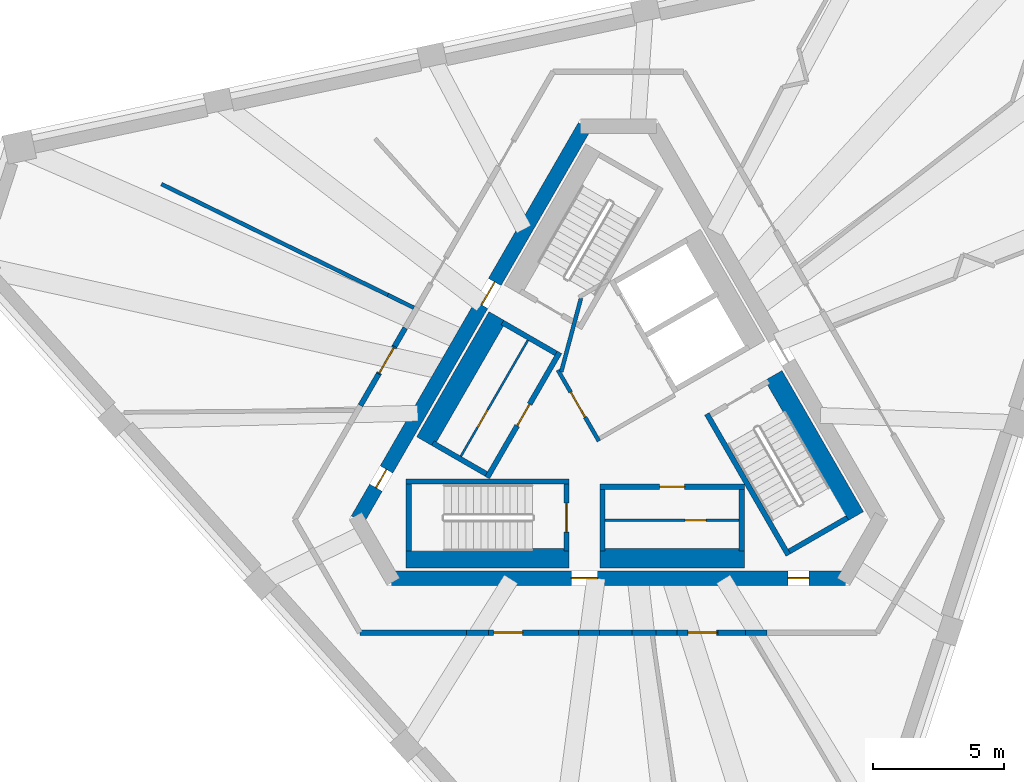
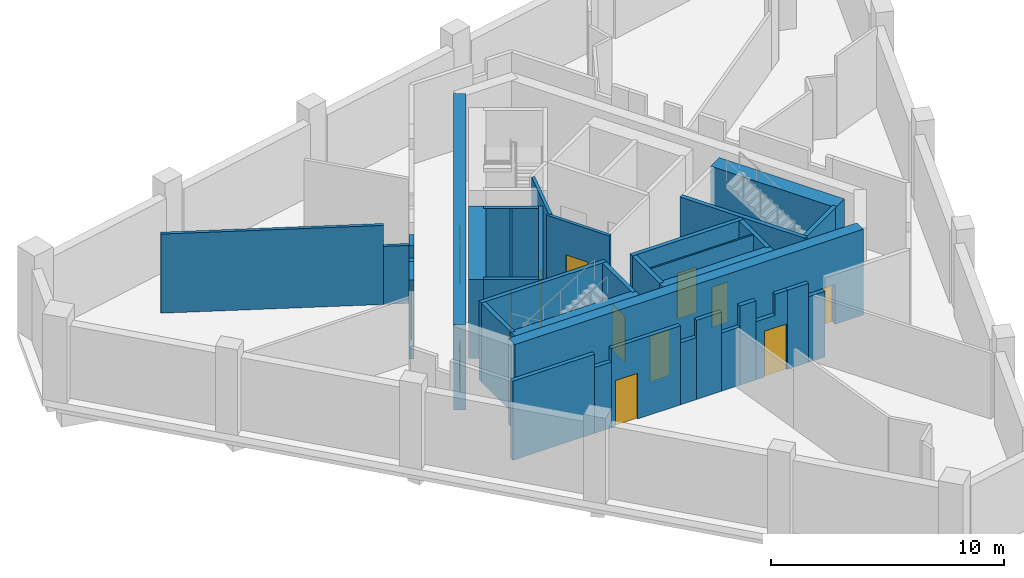
# One storey, part 2 of 5: 36 walls, 13 doors, 13 openings.
"""IFC4 building model written with IfcOpenShell, lengths in metres."""

from ifc_helpers import new_model, si_unit, direction, frame, frame_2d, origin, place, context, subcontext, project, spatial, polyline, rectangle, outline, extrude, material, layer, layer_set, type_object, element, fill, save


model = new_model("IFC4")

# Units and contexts
model_context = context("Model", 3, precision=1e-05, world=origin(), true_north=direction((0.0, 1.0)))
body_context = subcontext(model_context, "Body", "Model", "MODEL_VIEW")
ifc_project = project(units=[si_unit("LENGTHUNIT", "METRE"), si_unit("AREAUNIT", "SQUARE_METRE"), si_unit("VOLUMEUNIT", "CUBIC_METRE"), si_unit("PLANEANGLEUNIT", "RADIAN"), si_unit("MASSUNIT", "GRAM", prefix="KILO")], contexts=[model_context])

# Site, building, storey
site_placement = place(None, origin())
site = spatial("IfcSite", under=ifc_project, at=site_placement, CompositionType="ELEMENT")
building_placement = place(site_placement, origin())
building = spatial("IfcBuilding", under=site, at=building_placement, Name="Tramontana Tower", CompositionType="ELEMENT")
storey_placement = place(building_placement, frame((0.0, 0.0, 356.89990234375)))
storey = spatial("IfcBuildingStorey", under=building, at=storey_placement, Name="L82", CompositionType="ELEMENT", Elevation=356.89990234375)

# Wall, openings, doors
ifc_material_1 = material(Name="Concrete 70 MPa", Category="concrete")
ifc_layer_1 = layer(ifc_material_1, 0.550048828125)
ifc_layer_set_1 = layer_set([ifc_layer_1], Name="Core wall 550 70 MPa")
wall_type_1 = type_object("IfcWallType", Name="Core wall 550 70 MPa", PredefinedType="SHEAR", material=ifc_layer_set_1)
wall_1_placement = place(storey_placement, frame((-1.28466796875, 10.72509765625, 0.0), z_axis=(0.0, 0.0, 1.0), x_axis=(-0.499994590896, -0.86602852671, 0.0)))
wall_1 = element("IfcWall", 1, at=wall_1_placement, inside=storey, type_object=wall_type_1, Name="Core wall C1 L82", PredefinedType="SHEAR", context=body_context, shape_type="SweptSolid", body=[
    extrude(rectangle(XDim=17.291748046875, YDim=0.550048828125, at=frame_2d((8.64599609375, 0.0))), origin(), (0.0, 0.0, 1.0), 4.5),
])
opening_1_placement = place(wall_1_placement, frame((6.850830078125, 0.0, 0.0)))
opening_1 = element("IfcOpeningElement", 2, at=opening_1_placement, cuts=wall_1, Name="Opening RG1", PredefinedType="OPENING", context=body_context, shape_type="SweptSolid", body=[
    extrude(rectangle(XDim=1.0, YDim=2.39990234375, at=frame_2d((0.5, 1.199951171875))), frame((0.0, 0.284912109375, 0.0), z_axis=(0.0, -1.0, 0.0), x_axis=(1.0, 0.0, 0.0)), (0.0, 0.0, 1.0), 0.570068359375),
])
opening_2_placement = place(wall_1_placement, frame((15.0888671875, 0.0, 0.0)))
opening_2 = element("IfcOpeningElement", 3, at=opening_2_placement, cuts=wall_1, Name="Opening PD1", PredefinedType="OPENING", context=body_context, shape_type="SweptSolid", body=[
    extrude(rectangle(XDim=0.800048828125, YDim=2.10009765625, at=frame_2d((0.39990234375, 1.050048828125))), frame((0.0, 0.284912109375, 0.0), z_axis=(0.0, -1.0, 0.0), x_axis=(1.0, 0.0, 0.0)), (0.0, 0.0, 1.0), 0.570068359375),
])
ifc_material_2 = material(Name="Painted steel", Category="steel")
door_type_1 = type_object("IfcDoorType", Name="CUPBOARD DOOR 800", OperationType="SINGLE_SWING_LEFT", PredefinedType="DOOR", material=ifc_material_2)
door_1_placement = place(opening_2_placement, origin())
door_1 = element("IfcDoor", 4, at=door_1_placement, inside=storey, type_object=door_type_1, Name="Door PD1", OperationType="SINGLE_SWING_LEFT", OverallHeight=2.10009765625, OverallWidth=0.800048828125, PredefinedType="DOOR", context=body_context, shape_type="SweptSolid", body=[
    extrude(rectangle(XDim=0.800048828125, YDim=2.10009765625, at=frame_2d((0.39990234375, 1.050048828125))), frame((0.0, 0.02490234375, 0.0), z_axis=(0.0, -1.0, 0.0), x_axis=(1.0, 0.0, 0.0)), (0.0, 0.0, 1.0), 0.050048828125),
])
fill(opening_2, door_1)
ifc_material_3 = material(Name="Painted steel", Category="steel")
door_type_2 = type_object("IfcDoorType", Name="RING DOOR 1000", OperationType="SINGLE_SWING_LEFT", PredefinedType="DOOR", material=ifc_material_3)
door_2_placement = place(opening_1_placement, origin())
door_2 = element("IfcDoor", 5, at=door_2_placement, inside=storey, type_object=door_type_2, Name="Door RG1", OperationType="SINGLE_SWING_RIGHT", OverallHeight=2.39990234375, OverallWidth=1.0, PredefinedType="DOOR", context=body_context, shape_type="SweptSolid", body=[
    extrude(rectangle(XDim=1.0, YDim=2.39990234375, at=frame_2d((0.5, 1.199951171875))), frame((0.0, 0.02490234375, 0.0), z_axis=(0.0, -1.0, 0.0), x_axis=(1.0, 0.0, 0.0)), (0.0, 0.0, 1.0), 0.050048828125),
])
fill(opening_1, door_2)

wall_2_placement = place(storey_placement, frame((-8.645751953125, -6.47509765625, 0.0), z_axis=(0.0, 0.0, 1.0), x_axis=(1.0, 0.0, 0.0)))
wall_2 = element("IfcWall", 6, at=wall_2_placement, inside=storey, type_object=wall_type_1, Name="Core wall C3 L82", PredefinedType="SHEAR", context=body_context, shape_type="SweptSolid", body=[
    extrude(rectangle(XDim=17.29150390625, YDim=0.550048828125, at=frame_2d((8.645751953125, 0.0))), origin(), (0.0, 0.0, 1.0), 4.5),
])
opening_3_placement = place(wall_2_placement, frame((6.850830078125, 0.0, 0.0)))
opening_3 = element("IfcOpeningElement", 7, at=opening_3_placement, cuts=wall_2, Name="Opening RG2", PredefinedType="OPENING", context=body_context, shape_type="SweptSolid", body=[
    extrude(rectangle(XDim=1.0, YDim=2.39990234375, at=frame_2d((0.5, 1.199951171875))), frame((0.0, 0.284912109375, 0.0), z_axis=(0.0, -1.0, 0.0), x_axis=(1.0, 0.0, 0.0)), (0.0, 0.0, 1.0), 0.570068359375),
])
opening_4_placement = place(wall_2_placement, frame((15.088623046875, 0.0, 0.0)))
opening_4 = element("IfcOpeningElement", 8, at=opening_4_placement, cuts=wall_2, Name="Opening PD2", PredefinedType="OPENING", context=body_context, shape_type="SweptSolid", body=[
    extrude(rectangle(XDim=0.800048828125, YDim=2.10009765625, at=frame_2d((0.39990234375, 1.050048828125))), frame((0.0, 0.284912109375, 0.0), z_axis=(0.0, -1.0, 0.0), x_axis=(1.0, 0.0, 0.0)), (0.0, 0.0, 1.0), 0.570068359375),
])
door_3_placement = place(opening_4_placement, origin())
door_3 = element("IfcDoor", 9, at=door_3_placement, inside=storey, type_object=door_type_1, Name="Door PD2", OperationType="SINGLE_SWING_RIGHT", OverallHeight=2.10009765625, OverallWidth=0.800048828125, PredefinedType="DOOR", context=body_context, shape_type="SweptSolid", body=[
    extrude(rectangle(XDim=0.800048828125, YDim=2.10009765625, at=frame_2d((0.39990234375, 1.050048828125))), frame((0.0, 0.02490234375, 0.0), z_axis=(0.0, -1.0, 0.0), x_axis=(1.0, 0.0, 0.0)), (0.0, 0.0, 1.0), 0.050048828125),
])
fill(opening_4, door_3)
door_4_placement = place(opening_3_placement, origin())
door_4 = element("IfcDoor", 10, at=door_4_placement, inside=storey, type_object=door_type_2, Name="Door RG2", OperationType="SINGLE_SWING_LEFT", OverallHeight=2.39990234375, OverallWidth=1.0, PredefinedType="DOOR", context=body_context, shape_type="SweptSolid", body=[
    extrude(rectangle(XDim=1.0, YDim=2.39990234375, at=frame_2d((0.5, 1.199951171875))), frame((0.0, 0.02490234375, 0.0), z_axis=(0.0, -1.0, 0.0), x_axis=(1.0, 0.0, 0.0)), (0.0, 0.0, 1.0), 0.050048828125),
])
fill(opening_3, door_4)

# Walls
ifc_material_4 = material(Name="Blockwork", Category="masonry")
ifc_layer_2 = layer(ifc_material_4, 0.199951171875)
ifc_layer_set_2 = layer_set([ifc_layer_2], Name="ENTRY WALL 200")
wall_type_2 = type_object("IfcWallType", Name="ENTRY WALL 200", PredefinedType="SOLIDWALL", material=ifc_layer_set_2)
wall_3_placement = place(storey_placement, frame((5.6494140625, -8.550048828125, 0.0), z_axis=(0.0, 0.0, 1.0), x_axis=(-1.0, 0.0, 0.0)))
element("IfcWall", 11, at=wall_3_placement, inside=storey, type_object=wall_type_2, Name="Wall ew1-1", PredefinedType="SOLIDWALL", context=body_context, shape_type="SweptSolid", body=[
    extrude(rectangle(XDim=0.821044921875, YDim=0.199951171875, at=frame_2d((0.41064453125, 0.0))), origin(), (0.0, 0.0, 1.0), 3.4501953125),
])
wall_4_placement = place(storey_placement, frame((4.828369140625, -8.550048828125, 0.0), z_axis=(0.0, 0.0, 1.0), x_axis=(-1.0, 0.0, 0.0)))
element("IfcWall", 12, at=wall_4_placement, inside=storey, type_object=wall_type_2, Name="Wall ew1-2", PredefinedType="SOLIDWALL", context=body_context, shape_type="SweptSolid", body=[
    extrude(rectangle(XDim=1.0380859375, YDim=0.199951171875, at=frame_2d((0.51904296875, 0.0))), origin(), (0.0, 0.0, 1.0), 4.150146484375),
])

# Wall, opening, door
wall_5_placement = place(storey_placement, frame((3.790283203125, -8.550048828125, 0.0), z_axis=(0.0, 0.0, 1.0), x_axis=(-1.0, 0.0, 0.0)))
wall_5 = element("IfcWall", 13, at=wall_5_placement, inside=storey, type_object=wall_type_2, Name="Wall ew1-3", PredefinedType="SOLIDWALL", context=body_context, shape_type="SweptSolid", body=[
    extrude(outline(polyline([(0.0, 0.0), (1.561279296875, 0.0), (1.561279296875, 3.050048828125), (0.617431640625, 3.050048828125), (0.617431640625, 4.150146484375), (0.0, 4.150146484375), (0.0, 0.0)])), frame((0.0, 0.10009765625, 0.0), z_axis=(0.0, -1.0, 0.0), x_axis=(1.0, 0.0, 0.0)), (0.0, 0.0, 1.0), 0.199951171875),
])
opening_5_placement = place(wall_5_placement, frame((0.050048828125, 0.0, 0.0)))
opening_5 = element("IfcOpeningElement", 14, at=opening_5_placement, cuts=wall_5, Name="Opening L82-04", PredefinedType="OPENING", context=body_context, shape_type="SweptSolid", body=[
    extrude(rectangle(XDim=1.10009765625, YDim=2.39990234375, at=frame_2d((0.550048828125, 1.199951171875))), frame((0.0, 0.10986328125, 0.0), z_axis=(0.0, -1.0, 0.0), x_axis=(1.0, 0.0, 0.0)), (0.0, 0.0, 1.0), 0.219970703125),
])
ifc_material_5 = material(Name="Painted timber", Category="wood")
door_type_3 = type_object("IfcDoorType", Name="DOOR ENTRY 1100", OperationType="SINGLE_SWING_LEFT", PredefinedType="DOOR", material=ifc_material_5)
door_5_placement = place(opening_5_placement, origin())
door_5 = element("IfcDoor", 15, at=door_5_placement, inside=storey, type_object=door_type_3, Name="Door L82-04", OperationType="SINGLE_SWING_RIGHT", OverallHeight=2.39990234375, OverallWidth=1.10009765625, PredefinedType="DOOR", context=body_context, shape_type="SweptSolid", body=[
    extrude(rectangle(XDim=1.10009765625, YDim=2.39990234375, at=frame_2d((0.550048828125, 1.199951171875))), frame((0.0, 0.02490234375, 0.0), z_axis=(0.0, -1.0, 0.0), x_axis=(1.0, 0.0, 0.0)), (0.0, 0.0, 1.0), 0.050048828125),
])
fill(opening_5, door_5)

# Walls
wall_6_placement = place(storey_placement, frame((2.22900390625, -8.550048828125, 0.0), z_axis=(0.0, 0.0, 1.0), x_axis=(-1.0, 0.0, 0.0)))
element("IfcWall", 16, at=wall_6_placement, inside=storey, type_object=wall_type_2, Name="Wall ew1-4", PredefinedType="SOLIDWALL", context=body_context, shape_type="SweptSolid", body=[
    extrude(rectangle(XDim=0.806640625, YDim=0.199951171875, at=frame_2d((0.4033203125, 0.0))), origin(), (0.0, 0.0, 1.0), 4.150146484375),
])
wall_7_placement = place(storey_placement, frame((1.42236328125, -8.550048828125, 0.0), z_axis=(0.0, 0.0, 1.0), x_axis=(-1.0, 0.0, 0.0)))
element("IfcWall", 17, at=wall_7_placement, inside=storey, type_object=wall_type_2, Name="Wall ew1-5", PredefinedType="SOLIDWALL", context=body_context, shape_type="SweptSolid", body=[
    extrude(rectangle(XDim=0.90576171875, YDim=0.199951171875, at=frame_2d((0.452880859375, 0.0))), origin(), (0.0, 0.0, 1.0), 3.050048828125),
])
wall_8_placement = place(storey_placement, frame((0.5166015625, -8.550048828125, 0.0), z_axis=(0.0, 0.0, 1.0), x_axis=(-1.0, 0.0, 0.0)))
element("IfcWall", 18, at=wall_8_placement, inside=storey, type_object=wall_type_2, Name="Wall ew1-6", PredefinedType="SOLIDWALL", context=body_context, shape_type="SweptSolid", body=[
    extrude(rectangle(XDim=1.23828125, YDim=0.199951171875, at=frame_2d((0.619140625, 0.0))), origin(), (0.0, 0.0, 1.0), 4.150146484375),
])
wall_9_placement = place(storey_placement, frame((-0.7216796875, -8.550048828125, 0.0), z_axis=(0.0, 0.0, 1.0), x_axis=(-1.0, 0.0, 0.0)))
element("IfcWall", 19, at=wall_9_placement, inside=storey, type_object=wall_type_2, Name="Wall ew1-7", PredefinedType="SOLIDWALL", context=body_context, shape_type="SweptSolid", body=[
    extrude(rectangle(XDim=0.806884765625, YDim=0.199951171875, at=frame_2d((0.4033203125, 0.0))), origin(), (0.0, 0.0, 1.0), 3.25),
])

# Wall, opening, door
wall_10_placement = place(storey_placement, frame((-1.528564453125, -8.550048828125, 0.0), z_axis=(0.0, 0.0, 1.0), x_axis=(-1.0, 0.0, 0.0)))
wall_10 = element("IfcWall", 20, at=wall_10_placement, inside=storey, type_object=wall_type_2, Name="Wall ew1-8", PredefinedType="SOLIDWALL", context=body_context, shape_type="SweptSolid", body=[
    extrude(rectangle(XDim=3.423095703125, YDim=0.199951171875, at=frame_2d((1.71142578125, 0.0))), origin(), (0.0, 0.0, 1.0), 4.150146484375),
])
opening_6_placement = place(wall_10_placement, frame((2.12060546875, 0.0, 0.0)))
opening_6 = element("IfcOpeningElement", 21, at=opening_6_placement, cuts=wall_10, Name="Opening L82-03", PredefinedType="OPENING", context=body_context, shape_type="SweptSolid", body=[
    extrude(rectangle(XDim=1.10009765625, YDim=2.39990234375, at=frame_2d((0.550048828125, 1.199951171875))), frame((0.0, 0.10986328125, 0.0), z_axis=(0.0, -1.0, 0.0), x_axis=(1.0, 0.0, 0.0)), (0.0, 0.0, 1.0), 0.219970703125),
])
door_6_placement = place(opening_6_placement, origin())
door_6 = element("IfcDoor", 22, at=door_6_placement, inside=storey, type_object=door_type_3, Name="Door L82-03", OperationType="SINGLE_SWING_LEFT", OverallHeight=2.39990234375, OverallWidth=1.10009765625, PredefinedType="DOOR", context=body_context, shape_type="SweptSolid", body=[
    extrude(rectangle(XDim=1.10009765625, YDim=2.39990234375, at=frame_2d((0.550048828125, 1.199951171875))), frame((0.0, 0.02490234375, 0.0), z_axis=(0.0, -1.0, 0.0), x_axis=(1.0, 0.0, 0.0)), (0.0, 0.0, 1.0), 0.050048828125),
])
fill(opening_6, door_6)

# Walls
wall_11_placement = place(storey_placement, frame((-4.95166015625, -8.550048828125, 0.0), z_axis=(0.0, 0.0, 1.0), x_axis=(-1.0, 0.0, 0.0)))
element("IfcWall", 23, at=wall_11_placement, inside=storey, type_object=wall_type_2, Name="Wall ew1-9", PredefinedType="SOLIDWALL", context=body_context, shape_type="SweptSolid", body=[
    extrude(rectangle(XDim=0.826416015625, YDim=0.199951171875, at=frame_2d((0.4130859375, 0.0))), origin(), (0.0, 0.0, 1.0), 3.4501953125),
])
wall_12_placement = place(storey_placement, frame((-5.778076171875, -8.550048828125, 0.0), z_axis=(0.0, 0.0, 1.0), x_axis=(-1.0, 0.0, 0.0)))
element("IfcWall", 24, at=wall_12_placement, inside=storey, type_object=wall_type_2, Name="Wall ew1-10", PredefinedType="SOLIDWALL", context=body_context, shape_type="SweptSolid", body=[
    extrude(rectangle(XDim=4.065673828125, YDim=0.199951171875, at=frame_2d((2.03271484375, 0.0))), origin(), (0.0, 0.0, 1.0), 4.150146484375),
])
wall_13_placement = place(storey_placement, frame((-9.818603515625, 0.093505859375, 0.0), z_axis=(0.0, 0.0, 1.0), x_axis=(0.500007335828, 0.866021168401, 0.0)))
element("IfcWall", 25, at=wall_13_placement, inside=storey, type_object=wall_type_2, Name="Wall ew3-2", PredefinedType="SOLIDWALL", context=body_context, shape_type="SweptSolid", body=[
    extrude(rectangle(XDim=1.384765625, YDim=0.199951171875, at=frame_2d((0.6923828125, 0.0))), origin(), (0.0, 0.0, 1.0), 4.150146484375),
])

# Wall, opening, door
wall_14_placement = place(storey_placement, frame((-9.126220703125, 1.292724609375, 0.0), z_axis=(0.0, 0.0, 1.0), x_axis=(0.499966081581, 0.866044985707, 0.0)))
wall_14 = element("IfcWall", 26, at=wall_14_placement, inside=storey, type_object=wall_type_2, Name="Wall ew3-3", PredefinedType="SOLIDWALL", context=body_context, shape_type="SweptSolid", body=[
    extrude(outline(polyline([(0.0, 0.0), (1.21435546875, 0.0), (1.214599609375, 3.050048828125), (0.270751953125, 3.050048828125), (0.270751953125, 4.150146484375), (0.0, 4.150146484375), (0.0, 0.0)])), frame((0.0, 0.10009765625, 0.0), z_axis=(0.0, -1.0, 0.0), x_axis=(1.0, 0.0, 0.0)), (0.0, 0.0, 1.0), 0.199951171875),
])
opening_7_placement = place(wall_14_placement, frame((0.050048828125, 0.0, 0.0)))
opening_7 = element("IfcOpeningElement", 27, at=opening_7_placement, cuts=wall_14, Name="Opening L82-02", PredefinedType="OPENING", context=body_context, shape_type="SweptSolid", body=[
    extrude(rectangle(XDim=1.10009765625, YDim=2.39990234375, at=frame_2d((0.550048828125, 1.199951171875))), frame((0.0, 0.10986328125, 0.0), z_axis=(0.0, -1.0, 0.0), x_axis=(1.0, 0.0, 0.0)), (0.0, 0.0, 1.0), 0.219970703125),
])
door_7_placement = place(opening_7_placement, origin())
door_7 = element("IfcDoor", 28, at=door_7_placement, inside=storey, type_object=door_type_3, Name="Door L82-02", OperationType="SINGLE_SWING_RIGHT", OverallHeight=2.39990234375, OverallWidth=1.10009765625, PredefinedType="DOOR", context=body_context, shape_type="SweptSolid", body=[
    extrude(rectangle(XDim=1.10009765625, YDim=2.39990234375, at=frame_2d((0.550048828125, 1.199951171875))), frame((0.0, 0.02490234375, 0.0), z_axis=(0.0, -1.0, 0.0), x_axis=(1.0, 0.0, 0.0)), (0.0, 0.0, 1.0), 0.050048828125),
])
fill(opening_7, door_7)

# Wall
wall_15_placement = place(storey_placement, frame((-8.51904296875, 2.344482421875, 0.0), z_axis=(0.0, 0.0, 1.0), x_axis=(0.499914554297, 0.866074730264, 0.0)))
element("IfcWall", 29, at=wall_15_placement, inside=storey, type_object=wall_type_2, Name="Wall ew3-4", PredefinedType="SOLIDWALL", context=body_context, shape_type="SweptSolid", body=[
    extrude(rectangle(XDim=0.806884765625, YDim=0.199951171875, at=frame_2d((0.4033203125, 0.0))), origin(), (0.0, 0.0, 1.0), 4.150146484375),
])

# Wall, opening, door
ifc_material_6 = material(Name="Gypsum board partition")
ifc_layer_3 = layer(ifc_material_6, 0.14990234375)
ifc_layer_set_3 = layer_set([ifc_layer_3], Name="PARTITION 150")
wall_type_3 = type_object("IfcWallType", Name="PARTITION 150", PredefinedType="PARTITIONING", material=ifc_layer_set_3)
wall_16_placement = place(storey_placement, frame((-0.744140625, -1.260986328125, 0.0), z_axis=(0.0, 0.0, 1.0), x_axis=(-0.500004234368, 0.866022959057, 0.0)))
wall_16 = element("IfcWall", 30, at=wall_16_placement, inside=storey, type_object=wall_type_3, Name="Wall ff-front", PredefinedType="PARTITIONING", context=body_context, shape_type="SweptSolid", body=[
    extrude(rectangle(XDim=3.125, YDim=0.14990234375, at=frame_2d((1.5625, 0.0))), origin(), (0.0, 0.0, 1.0), 4.150146484375),
])
opening_8_placement = place(wall_16_placement, frame((1.050048828125, 0.0, 0.0)))
opening_8 = element("IfcOpeningElement", 31, at=opening_8_placement, cuts=wall_16, Name="Opening FD1", PredefinedType="OPENING", context=body_context, shape_type="SweptSolid", body=[
    extrude(rectangle(XDim=1.10009765625, YDim=2.39990234375, at=frame_2d((0.550048828125, 1.199951171875))), frame((0.0, 0.0849609375, 0.0), z_axis=(0.0, -1.0, 0.0), x_axis=(1.0, 0.0, 0.0)), (0.0, 0.0, 1.0), 0.169921875),
])
door_8_placement = place(opening_8_placement, origin())
door_8 = element("IfcDoor", 32, at=door_8_placement, inside=storey, type_object=door_type_3, Name="Door FD1", OperationType="SINGLE_SWING_LEFT", OverallHeight=2.39990234375, OverallWidth=1.10009765625, PredefinedType="DOOR", context=body_context, shape_type="SweptSolid", body=[
    extrude(rectangle(XDim=1.10009765625, YDim=2.39990234375, at=frame_2d((0.550048828125, 1.199951171875))), frame((0.0, 0.02490234375, 0.0), z_axis=(0.0, -1.0, 0.0), x_axis=(1.0, 0.0, 0.0)), (0.0, 0.0, 1.0), 0.050048828125),
])
fill(opening_8, door_8)

# Walls
wall_17_placement = place(storey_placement, frame((-2.177978515625, 1.372314453125, 0.0), z_axis=(0.0, 0.0, 1.0), x_axis=(0.258808958833, 0.96592852884, 0.0)))
element("IfcWall", 33, at=wall_17_placement, inside=storey, type_object=wall_type_3, Name="Wall ff-diag", PredefinedType="PARTITIONING", context=body_context, shape_type="SweptSolid", body=[
    extrude(rectangle(XDim=2.902587890625, YDim=0.14990234375, at=frame_2d((1.451171875, 0.0))), origin(), (0.0, 0.0, 1.0), 4.150146484375),
])
wall_18_placement = place(storey_placement, frame((-7.7861328125, 3.81396484375, 0.0), z_axis=(0.0, 0.0, 1.0), x_axis=(-0.898068056395, 0.439856528976, 0.0)))
element("IfcWall", 34, at=wall_18_placement, inside=storey, type_object=wall_type_3, Name="Wall fw-pw03-0", PredefinedType="PARTITIONING", context=body_context, shape_type="SweptSolid", body=[
    extrude(rectangle(XDim=1.10400390625, YDim=0.14990234375, at=frame_2d((0.552001953125, 0.0))), origin(), (0.0, 0.0, 1.0), 3.050048828125),
])
wall_19_placement = place(storey_placement, frame((-8.777587890625, 4.299560546875, 0.0), z_axis=(0.0, 0.0, 1.0), x_axis=(-0.898056553391, 0.439880014222, 0.0)))
element("IfcWall", 35, at=wall_19_placement, inside=storey, type_object=wall_type_3, Name="Wall fw-pw03-1", PredefinedType="PARTITIONING", context=body_context, shape_type="SweptSolid", body=[
    extrude(rectangle(XDim=9.593994140625, YDim=0.14990234375, at=frame_2d((4.796875, 0.0))), origin(), (0.0, 0.0, 1.0), 4.150146484375),
])

# Wall, opening, door
ifc_material_7 = material(Name="Gypsum board partition")
ifc_layer_4 = layer(ifc_material_7, 0.080078125)
ifc_layer_set_4 = layer_set([ifc_layer_4], Name="PARTITION 80")
wall_type_4 = type_object("IfcWallType", Name="PARTITION 80", PredefinedType="PARTITIONING", material=ifc_layer_set_4)
wall_20_placement = place(storey_placement, frame((-5.997314453125, -1.837646484375, 0.0), z_axis=(0.0, 0.0, 1.0), x_axis=(0.500005610874, 0.86602216432, 0.0)))
wall_20 = element("IfcWall", 36, at=wall_20_placement, inside=storey, type_object=wall_type_4, Name="Wall row0-split", PredefinedType="PARTITIONING", context=body_context, shape_type="SweptSolid", body=[
    extrude(rectangle(XDim=5.10009765625, YDim=0.080078125, at=frame_2d((2.550048828125, 0.0))), origin(), (0.0, 0.0, 1.0), 4.150146484375),
])
opening_9_placement = place(wall_20_placement, frame((1.25, 0.0, 0.0)))
opening_9 = element("IfcOpeningElement", 37, at=opening_9_placement, cuts=wall_20, Name="Opening RD-0B", PredefinedType="OPENING", context=body_context, shape_type="SweptSolid", body=[
    extrude(rectangle(XDim=0.800048828125, YDim=2.10009765625, at=frame_2d((0.39990234375, 1.050048828125))), frame((0.0, 0.050048828125, 0.0), z_axis=(0.0, -1.0, 0.0), x_axis=(1.0, 0.0, 0.0)), (0.0, 0.0, 1.0), 0.10009765625),
])
door_9_placement = place(opening_9_placement, origin())
door_9 = element("IfcDoor", 38, at=door_9_placement, inside=storey, type_object=door_type_1, Name="Door RD-0B", OperationType="SINGLE_SWING_RIGHT", OverallHeight=2.10009765625, OverallWidth=0.800048828125, PredefinedType="DOOR", context=body_context, shape_type="SweptSolid", body=[
    extrude(rectangle(XDim=0.800048828125, YDim=2.10009765625, at=frame_2d((0.39990234375, 1.050048828125))), frame((0.0, 0.02490234375, 0.0), z_axis=(0.0, -1.0, 0.0), x_axis=(1.0, 0.0, 0.0)), (0.0, 0.0, 1.0), 0.050048828125),
])
fill(opening_9, door_9)

wall_21_placement = place(storey_placement, frame((4.590087890625, -4.27490234375, 0.0), z_axis=(0.0, 0.0, 1.0), x_axis=(-1.0, 0.0, 0.0)))
wall_21 = element("IfcWall", 39, at=wall_21_placement, inside=storey, type_object=wall_type_4, Name="Wall row1-split", PredefinedType="PARTITIONING", context=body_context, shape_type="SweptSolid", body=[
    extrude(rectangle(XDim=5.10009765625, YDim=0.080078125, at=frame_2d((2.550048828125, 0.0))), origin(), (0.0, 0.0, 1.0), 4.150146484375),
])
opening_10_placement = place(wall_21_placement, frame((1.25, 0.0, 0.0)))
opening_10 = element("IfcOpeningElement", 40, at=opening_10_placement, cuts=wall_21, Name="Opening RD-1B", PredefinedType="OPENING", context=body_context, shape_type="SweptSolid", body=[
    extrude(rectangle(XDim=0.800048828125, YDim=2.10009765625, at=frame_2d((0.39990234375, 1.050048828125))), frame((0.0, 0.050048828125, 0.0), z_axis=(0.0, -1.0, 0.0), x_axis=(1.0, 0.0, 0.0)), (0.0, 0.0, 1.0), 0.10009765625),
])
door_10_placement = place(opening_10_placement, origin())
door_10 = element("IfcDoor", 41, at=door_10_placement, inside=storey, type_object=door_type_1, Name="Door RD-1B", OperationType="SINGLE_SWING_RIGHT", OverallHeight=2.10009765625, OverallWidth=0.800048828125, PredefinedType="DOOR", context=body_context, shape_type="SweptSolid", body=[
    extrude(rectangle(XDim=0.800048828125, YDim=2.10009765625, at=frame_2d((0.39990234375, 1.050048828125))), frame((0.0, 0.02490234375, 0.0), z_axis=(0.0, -1.0, 0.0), x_axis=(1.0, 0.0, 0.0)), (0.0, 0.0, 1.0), 0.050048828125),
])
fill(opening_10, door_10)

# Walls
ifc_material_8 = material(Name="Concrete 70 MPa", Category="concrete")
ifc_layer_5 = layer(ifc_material_8, 0.75)
ifc_layer_set_5 = layer_set([ifc_layer_5], Name="Concrete 70 MPa, 750 mm")
wall_type_5 = type_object("IfcWallType", Name="RC SHAFT BACK WALL 750", PredefinedType="SOLIDWALL", material=ifc_layer_set_5)
wall_22_placement = place(storey_placement, frame((-8.080078125, -5.72509765625, 0.0), z_axis=(0.0, 0.0, 1.0), x_axis=(1.0, 0.0, 0.0)))
element("IfcWall", 42, at=wall_22_placement, inside=storey, type_object=wall_type_5, Name="Wall st2-back", PredefinedType="SOLIDWALL", context=body_context, shape_type="SweptSolid", body=[
    extrude(rectangle(XDim=6.2001953125, YDim=0.75, at=frame_2d((3.10009765625, 0.0))), origin(), (0.0, 0.0, 1.0), 4.150146484375),
])
wall_23_placement = place(storey_placement, frame((8.998046875, -4.135009765625, 0.0), z_axis=(0.0, 0.0, 1.0), x_axis=(-0.500009909098, 0.866019682689, 0.0)))
element("IfcWall", 43, at=wall_23_placement, inside=storey, type_object=wall_type_5, Name="Wall st3-back", PredefinedType="SOLIDWALL", context=body_context, shape_type="SweptSolid", body=[
    extrude(rectangle(XDim=6.199951171875, YDim=0.75, at=frame_2d((3.10009765625, 0.0))), origin(), (0.0, 0.0, 1.0), 4.150146484375),
])
wall_24_placement = place(storey_placement, frame((-4.60302734375, 3.477294921875, 0.0), z_axis=(0.0, 0.0, 1.0), x_axis=(-0.500015767406, -0.866016300277, 0.0)))
element("IfcWall", 44, at=wall_24_placement, inside=storey, type_object=wall_type_5, Name="Wall row0-back", PredefinedType="SOLIDWALL", context=body_context, shape_type="SweptSolid", body=[
    extrude(rectangle(XDim=5.499755859375, YDim=0.75, at=frame_2d((2.75, 0.0))), origin(), (0.0, 0.0, 1.0), 4.150146484375),
])
wall_25_placement = place(storey_placement, frame((-0.7099609375, -5.72509765625, 0.0), z_axis=(0.0, 0.0, 1.0), x_axis=(1.0, 0.0, 0.0)))
element("IfcWall", 45, at=wall_25_placement, inside=storey, type_object=wall_type_5, Name="Wall row1-back", PredefinedType="SOLIDWALL", context=body_context, shape_type="SweptSolid", body=[
    extrude(rectangle(XDim=5.5, YDim=0.75, at=frame_2d((2.75, 0.0))), origin(), (0.0, 0.0, 1.0), 4.150146484375),
])
ifc_material_9 = material(Name="Concrete 70 MPa", Category="concrete")
ifc_layer_6 = layer(ifc_material_9, 0.199951171875)
ifc_layer_set_6 = layer_set([ifc_layer_6], Name="Concrete 70 MPa, 200 mm")
wall_type_6 = type_object("IfcWallType", Name="RC STAIR AND SHAFT WALL 200", PredefinedType="SOLIDWALL", material=ifc_layer_set_6)
wall_26_placement = place(storey_placement, frame((-8.080078125, -2.800048828125, 0.0), z_axis=(0.0, 0.0, 1.0), x_axis=(1.0, 0.0, 0.0)))
element("IfcWall", 46, at=wall_26_placement, inside=storey, type_object=wall_type_6, Name="Wall st2-front", PredefinedType="SOLIDWALL", context=body_context, shape_type="SweptSolid", body=[
    extrude(rectangle(XDim=6.2001953125, YDim=0.199951171875, at=frame_2d((3.10009765625, 0.0))), origin(), (0.0, 0.0, 1.0), 4.150146484375),
])
wall_27_placement = place(storey_placement, frame((-7.97998046875, -2.89990234375, 0.0), z_axis=(0.0, 0.0, 1.0), x_axis=(0.0, -1.0, 0.0)))
element("IfcWall", 47, at=wall_27_placement, inside=storey, type_object=wall_type_6, Name="Wall st2-far", PredefinedType="SOLIDWALL", context=body_context, shape_type="SweptSolid", body=[
    extrude(rectangle(XDim=2.550048828125, YDim=0.199951171875, at=frame_2d((1.27490234375, 0.0))), origin(), (0.0, 0.0, 1.0), 4.150146484375),
])

# Wall, opening, door
wall_28_placement = place(storey_placement, frame((-1.97998046875, -2.89990234375, 0.0), z_axis=(0.0, 0.0, 1.0), x_axis=(0.0, -1.0, 0.0)))
wall_28 = element("IfcWall", 48, at=wall_28_placement, inside=storey, type_object=wall_type_6, Name="Wall st2-near", PredefinedType="SOLIDWALL", context=body_context, shape_type="SweptSolid", body=[
    extrude(rectangle(XDim=2.550048828125, YDim=0.199951171875, at=frame_2d((1.27490234375, 0.0))), origin(), (0.0, 0.0, 1.0), 4.150146484375),
])
opening_11_placement = place(wall_28_placement, frame((0.72509765625, 0.0, 0.0)))
opening_11 = element("IfcOpeningElement", 49, at=opening_11_placement, cuts=wall_28, Name="Opening SD2", PredefinedType="OPENING", context=body_context, shape_type="SweptSolid", body=[
    extrude(rectangle(XDim=1.10009765625, YDim=2.39990234375, at=frame_2d((0.550048828125, 1.199951171875))), frame((0.0, 0.10986328125, 0.0), z_axis=(0.0, -1.0, 0.0), x_axis=(1.0, 0.0, 0.0)), (0.0, 0.0, 1.0), 0.219970703125),
])
ifc_material_10 = material(Name="Painted steel", Category="steel")
door_type_4 = type_object("IfcDoorType", Name="STAIR DOOR 1100", OperationType="SINGLE_SWING_LEFT", PredefinedType="DOOR", material=ifc_material_10)
door_11_placement = place(opening_11_placement, origin())
door_11 = element("IfcDoor", 50, at=door_11_placement, inside=storey, type_object=door_type_4, Name="Door SD2", OperationType="SINGLE_SWING_LEFT", OverallHeight=2.39990234375, OverallWidth=1.10009765625, PredefinedType="DOOR", context=body_context, shape_type="SweptSolid", body=[
    extrude(rectangle(XDim=1.10009765625, YDim=2.39990234375, at=frame_2d((0.550048828125, 1.199951171875))), frame((0.0, 0.02490234375, 0.0), z_axis=(0.0, -1.0, 0.0), x_axis=(1.0, 0.0, 0.0)), (0.0, 0.0, 1.0), 0.050048828125),
])
fill(opening_11, door_11)

# Walls
wall_29_placement = place(storey_placement, frame((6.46484375, -5.597412109375, 0.0), z_axis=(0.0, 0.0, 1.0), x_axis=(-0.49998037582, 0.866036733513, 0.0)))
element("IfcWall", 51, at=wall_29_placement, inside=storey, type_object=wall_type_6, Name="Wall st3-front", PredefinedType="SOLIDWALL", context=body_context, shape_type="SweptSolid", body=[
    extrude(rectangle(XDim=6.199951171875, YDim=0.199951171875, at=frame_2d((3.10009765625, 0.0))), origin(), (0.0, 0.0, 1.0), 4.150146484375),
])
wall_30_placement = place(storey_placement, frame((6.50146484375, -5.4609375, 0.0), z_axis=(0.0, 0.0, 1.0), x_axis=(0.865989465428, 0.500062241894, 0.0)))
element("IfcWall", 52, at=wall_30_placement, inside=storey, type_object=wall_type_6, Name="Wall st3-far", PredefinedType="SOLIDWALL", context=body_context, shape_type="SweptSolid", body=[
    extrude(rectangle(XDim=2.550048828125, YDim=0.199951171875, at=frame_2d((1.27490234375, 0.0))), origin(), (0.0, 0.0, 1.0), 4.150146484375),
])

# Wall, opening, door
wall_31_placement = place(storey_placement, frame((-4.9931640625, -2.648193359375, 0.0), z_axis=(0.0, 0.0, 1.0), x_axis=(0.499996545922, 0.866027397988, 0.0)))
wall_31 = element("IfcWall", 53, at=wall_31_placement, inside=storey, type_object=wall_type_6, Name="Wall row0-front", PredefinedType="SOLIDWALL", context=body_context, shape_type="SweptSolid", body=[
    extrude(rectangle(XDim=5.5, YDim=0.199951171875, at=frame_2d((2.75, 0.0))), origin(), (0.0, 0.0, 1.0), 4.150146484375),
])
opening_12_placement = place(wall_31_placement, frame((2.27490234375, 0.0, 0.0)))
opening_12 = element("IfcOpeningElement", 54, at=opening_12_placement, cuts=wall_31, Name="Opening RD-0A", PredefinedType="OPENING", context=body_context, shape_type="SweptSolid", body=[
    extrude(rectangle(XDim=0.949951171875, YDim=2.39990234375, at=frame_2d((0.47509765625, 1.199951171875))), frame((0.0, 0.10986328125, 0.0), z_axis=(0.0, -1.0, 0.0), x_axis=(1.0, 0.0, 0.0)), (0.0, 0.0, 1.0), 0.219970703125),
])
ifc_material_11 = material(Name="Painted timber", Category="wood")
door_type_5 = type_object("IfcDoorType", Name="DOOR ROOM 950", OperationType="SINGLE_SWING_LEFT", PredefinedType="DOOR", material=ifc_material_11)
door_12_placement = place(opening_12_placement, origin())
door_12 = element("IfcDoor", 55, at=door_12_placement, inside=storey, type_object=door_type_5, Name="Door RD-0A", OperationType="SINGLE_SWING_LEFT", OverallHeight=2.39990234375, OverallWidth=0.949951171875, PredefinedType="DOOR", context=body_context, shape_type="SweptSolid", body=[
    extrude(rectangle(XDim=0.949951171875, YDim=2.39990234375, at=frame_2d((0.47509765625, 1.199951171875))), frame((0.0, 0.02490234375, 0.0), z_axis=(0.0, -1.0, 0.0), x_axis=(1.0, 0.0, 0.0)), (0.0, 0.0, 1.0), 0.050048828125),
])
fill(opening_12, door_12)

# Walls
wall_32_placement = place(storey_placement, frame((-2.379638671875, 2.078369140625, 0.0), z_axis=(0.0, 0.0, 1.0), x_axis=(-0.866061024631, 0.499938297808, 0.0)))
element("IfcWall", 56, at=wall_32_placement, inside=storey, type_object=wall_type_6, Name="Wall row0-side0", PredefinedType="SOLIDWALL", context=body_context, shape_type="SweptSolid", body=[
    extrude(rectangle(XDim=2.349853515625, YDim=0.199951171875, at=frame_2d((1.1748046875, 0.0))), origin(), (0.0, 0.0, 1.0), 4.150146484375),
])
wall_33_placement = place(storey_placement, frame((-5.02978515625, -2.51171875, 0.0), z_axis=(0.0, 0.0, 1.0), x_axis=(-0.866016039709, 0.500016218704, 0.0)))
element("IfcWall", 57, at=wall_33_placement, inside=storey, type_object=wall_type_6, Name="Wall row0-side2", PredefinedType="SOLIDWALL", context=body_context, shape_type="SweptSolid", body=[
    extrude(rectangle(XDim=2.35009765625, YDim=0.199951171875, at=frame_2d((1.175048828125, 0.0))), origin(), (0.0, 0.0, 1.0), 4.150146484375),
])

# Wall, opening, door
wall_34_placement = place(storey_placement, frame((4.7900390625, -3.0, 0.0), z_axis=(0.0, 0.0, 1.0), x_axis=(-1.0, 0.0, 0.0)))
wall_34 = element("IfcWall", 58, at=wall_34_placement, inside=storey, type_object=wall_type_6, Name="Wall row1-front", PredefinedType="SOLIDWALL", context=body_context, shape_type="SweptSolid", body=[
    extrude(rectangle(XDim=5.5, YDim=0.199951171875, at=frame_2d((2.75, 0.0))), origin(), (0.0, 0.0, 1.0), 4.150146484375),
])
opening_13_placement = place(wall_34_placement, frame((2.27490234375, 0.0, 0.0)))
opening_13 = element("IfcOpeningElement", 59, at=opening_13_placement, cuts=wall_34, Name="Opening RD-1A", PredefinedType="OPENING", context=body_context, shape_type="SweptSolid", body=[
    extrude(rectangle(XDim=0.949951171875, YDim=2.39990234375, at=frame_2d((0.47509765625, 1.199951171875))), frame((0.0, 0.10986328125, 0.0), z_axis=(0.0, -1.0, 0.0), x_axis=(1.0, 0.0, 0.0)), (0.0, 0.0, 1.0), 0.219970703125),
])
door_13_placement = place(opening_13_placement, origin())
door_13 = element("IfcDoor", 60, at=door_13_placement, inside=storey, type_object=door_type_5, Name="Door RD-1A", OperationType="SINGLE_SWING_LEFT", OverallHeight=2.39990234375, OverallWidth=0.949951171875, PredefinedType="DOOR", context=body_context, shape_type="SweptSolid", body=[
    extrude(rectangle(XDim=0.949951171875, YDim=2.39990234375, at=frame_2d((0.47509765625, 1.199951171875))), frame((0.0, 0.02490234375, 0.0), z_axis=(0.0, -1.0, 0.0), x_axis=(1.0, 0.0, 0.0)), (0.0, 0.0, 1.0), 0.050048828125),
])
fill(opening_13, door_13)

# Walls
for number, where, z_axis, x_axis, name in (
    (61, (-0.610107421875, -3.10009765625, 0.0), (0.0, 0.0, 1.0), (0.0, -1.0, 0.0), "Wall row1-side0"),
    (62, (4.68994140625, -3.10009765625, 0.0), (0.0, 0.0, 1.0), (0.0, -1.0, 0.0), "Wall row1-side2"),
):
    element("IfcWall", number, at=place(storey_placement, frame(where, z_axis=z_axis, x_axis=x_axis)), inside=storey, type_object=wall_type_6, Name=name, PredefinedType="SOLIDWALL", context=body_context, shape_type="SweptSolid", body=[
        extrude(rectangle(XDim=2.349853515625, YDim=0.199951171875, at=frame_2d((1.1748046875, 0.0))), origin(), (0.0, 0.0, 1.0), 4.150146484375),
    ])

save(model, "model.ifc")
